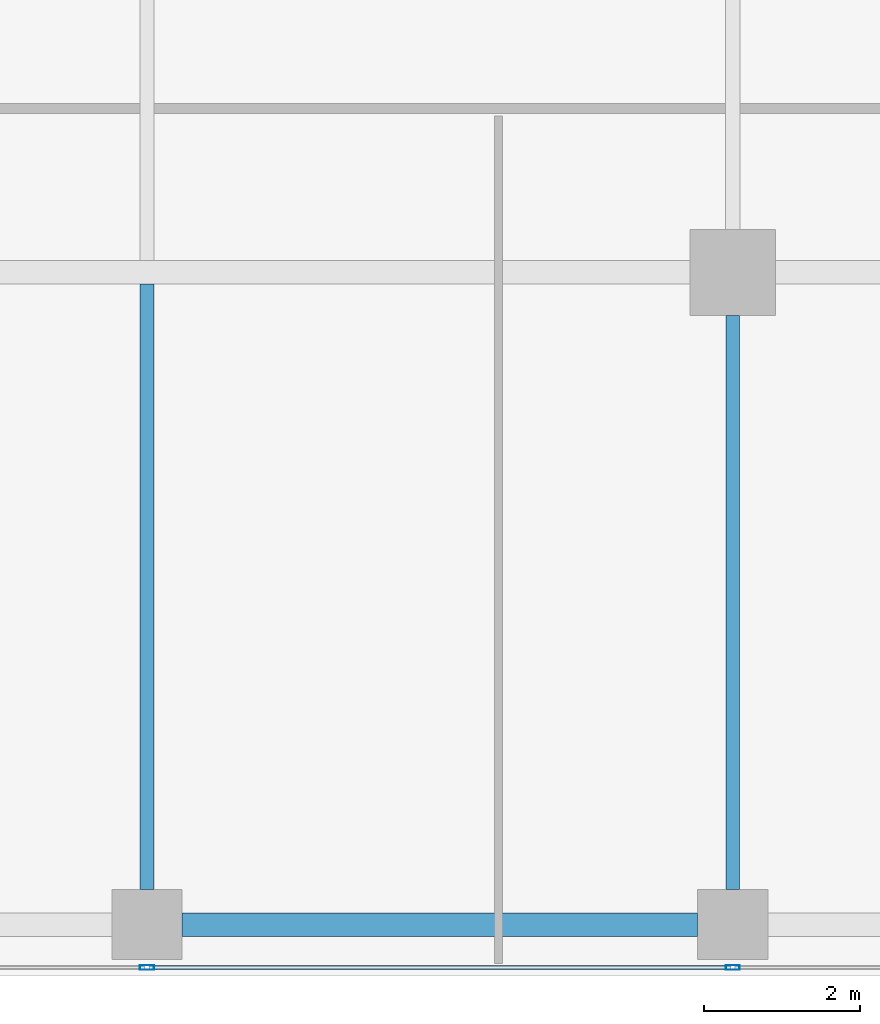
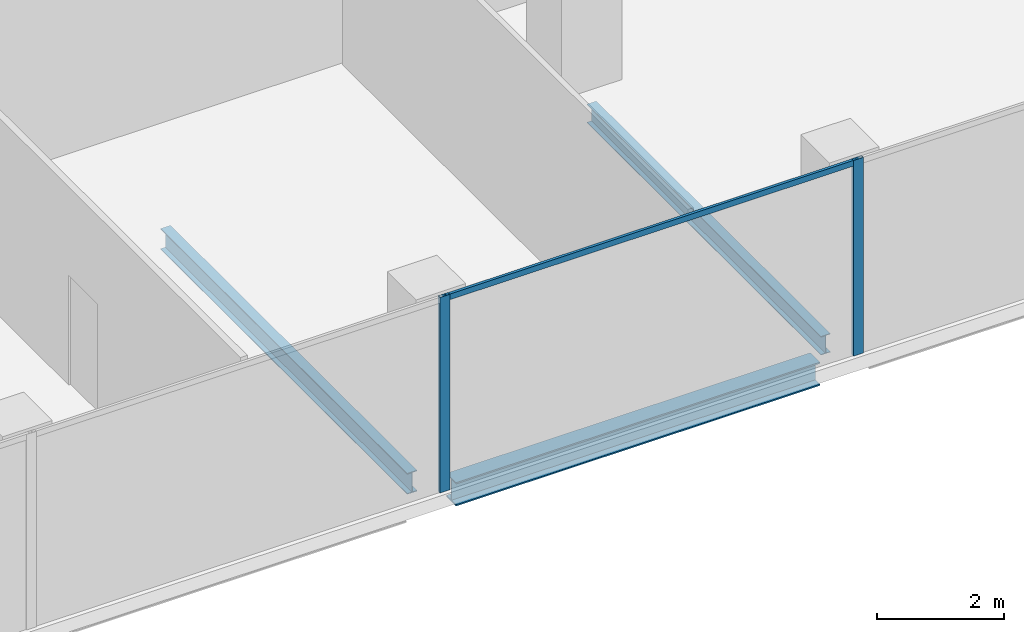
# One storey, part 6 of 35: 3 beams, 3 members, 1 element without a shape of its own.
"""IFC4 building model written with IfcOpenShell, lengths in metres."""

import ifcopenshell
import ifcopenshell.guid

model = None  # the IFC model being written
_history = None  # IfcOwnerHistory: only IFC2X3 demands one
_inside = {}  # id of a spatial element -> (the spatial element, [elements in it])
_under = {}  # id of a project, library or spatial element -> (it, [spatial elements below it])
_declared = {}  # id of a project -> (the project, [libraries it declares])
_typed = {}  # id of a type object -> (the type object, [elements of that type])
_made_of = {}  # id of a material, layer set ... -> (it, [elements and type objects made of it])


def new_model(schema):
    """Start an empty IFC model of exactly this schema.

    Asked for "IFC4X3", IfcOpenShell would pick the latest addendum, in which some entities
    have other attributes; the version numbers below select the first issue.
    IFC2X3 requires an IfcOwnerHistory on every rooted entity: one is made here for all.
    """
    global model, _history
    if schema == "IFC4X3":
        model = ifcopenshell.file(schema_version=(4, 3, 0, 0))
    else:
        model = ifcopenshell.file(schema=schema)
    _inside.clear()
    _under.clear()
    _declared.clear()
    _typed.clear()
    _made_of.clear()
    _history = None
    if model.schema == "IFC2X3":
        org = make("IfcOrganization", Name="unknown")
        user = make(
            "IfcPersonAndOrganization",
            ThePerson=make("IfcPerson", FamilyName="unknown"),
            TheOrganization=org,
        )
        app = make(
            "IfcApplication",
            ApplicationDeveloper=org,
            Version="unknown",
            ApplicationFullName="unknown",
            ApplicationIdentifier="unknown",
        )
        _history = make(
            "IfcOwnerHistory",
            OwningUser=user,
            OwningApplication=app,
            ChangeAction="ADDED",
            CreationDate=0,
        )
    return model


def make(cls, **values):
    """One entity of the class cls with the attributes given. An attribute that is None is left unset."""
    return model.create_entity(
        cls, **{name: value for name, value in values.items() if value is not None}
    )


def rooted(cls, **values):
    """An entity with a GlobalId (a new one), such as an element, a storey or a relation."""
    return make(cls, GlobalId=ifcopenshell.guid.new(), OwnerHistory=_history, **values)


def si_unit(unit_type, name, prefix=None):
    """IfcSIUnit, for example si_unit("LENGTHUNIT", "METRE", prefix="MILLI")."""
    return make("IfcSIUnit", UnitType=unit_type, Prefix=prefix, Name=name)


def assignment(units):
    """IfcUnitAssignment: the units of a project."""
    return None if units is None else make("IfcUnitAssignment", Units=units)


def point(xyz):
    """IfcCartesianPoint."""
    return None if xyz is None else make("IfcCartesianPoint", Coordinates=xyz)


def direction(xyz):
    """IfcDirection."""
    return None if xyz is None else make("IfcDirection", DirectionRatios=xyz)


def frame(location, z_axis=None, x_axis=None):
    """IfcAxis2Placement3D, a coordinate frame: its origin and axes. An axis left out is left unset."""
    return make(
        "IfcAxis2Placement3D",
        Location=point(location),
        Axis=direction(z_axis),
        RefDirection=direction(x_axis),
    )


def frame_2d(location, x_axis=None):
    """IfcAxis2Placement2D, a coordinate frame in the plane: its origin and x axis."""
    return make(
        "IfcAxis2Placement2D", Location=point(location), RefDirection=direction(x_axis)
    )


def origin():
    """The frame at (0, 0, 0) with its axes left unset."""
    return frame((0.0, 0.0, 0.0))


def origin_2d():
    """The frame at (0, 0) in the plane with its x axis left unset."""
    return frame_2d((0.0, 0.0))


def place(relative_to, where):
    """IfcLocalPlacement: puts the frame where relative to a parent placement (None: the world)."""
    return make(
        "IfcLocalPlacement", PlacementRelTo=relative_to, RelativePlacement=where
    )


def context(
    kind, dimensions, precision=None, world=None, true_north=None, identifier=None
):
    """IfcGeometricRepresentationContext, for example the 3D "Model" context."""
    return make(
        "IfcGeometricRepresentationContext",
        ContextIdentifier=identifier,
        ContextType=kind,
        CoordinateSpaceDimension=dimensions,
        Precision=precision,
        WorldCoordinateSystem=world,
        TrueNorth=true_north,
    )


def subcontext(parent, identifier, kind, view, scale=None):
    """IfcGeometricRepresentationSubContext, for example "Body" below "Model"."""
    return make(
        "IfcGeometricRepresentationSubContext",
        ContextIdentifier=identifier,
        ContextType=kind,
        ParentContext=parent,
        TargetScale=scale,
        TargetView=view,
    )


def project(units=None, contexts=None):
    """IfcProject with its units and contexts."""
    return rooted(
        "IfcProject",
        Name="project",
        RepresentationContexts=contexts,
        UnitsInContext=assignment(units),
    )


def spatial(cls, under=None, at=None, **own):
    """A site, building, storey or space (cls), placed at a placement, below another one or the project."""
    s = rooted(cls, ObjectPlacement=at, **own)
    if under is not None:
        _under.setdefault(under.id(), (under, []))[1].append(s)
    return s


def profile(cls, at=None, kind="AREA", **sizes):
    """A parametric profile (cls). Its sizes go by their IFC names, for example OverallWidth=200.0."""
    return make(cls, ProfileType=kind, Position=at, **sizes)


def hollow_rectangle(**sizes):
    """IfcRectangleHollowProfileDef."""
    return profile("IfcRectangleHollowProfileDef", **sizes)


def i_section(**sizes):
    """IfcIShapeProfileDef."""
    return profile("IfcIShapeProfileDef", **sizes)


def extrude(swept, where, along, depth):
    """IfcExtrudedAreaSolid: the profile swept, set in the frame where, extruded along a direction by depth."""
    return make(
        "IfcExtrudedAreaSolid",
        SweptArea=swept,
        Position=where,
        ExtrudedDirection=direction(along),
        Depth=depth,
    )


def shape(context_of_items, identifier, shape_type, items):
    """IfcShapeRepresentation: the items that make up one representation, for example the "Body"."""
    return make(
        "IfcShapeRepresentation",
        ContextOfItems=context_of_items,
        RepresentationIdentifier=identifier,
        RepresentationType=shape_type,
        Items=items,
    )


def source(mapping_origin, context_of_items, identifier, shape_type, items):
    """IfcRepresentationMap: a shape defined once, which mapped items show again and again."""
    return make(
        "IfcRepresentationMap",
        MappingOrigin=mapping_origin,
        MappedRepresentation=shape(context_of_items, identifier, shape_type, items),
    )


def transform(
    local_origin,
    x_axis=None,
    y_axis=None,
    z_axis=None,
    scale=None,
    scale2=None,
    scale3=None,
    uniform=True,
):
    """IfcCartesianTransformationOperator3D, or its non-uniform kind. x_axis, y_axis, z_axis: its Axis1, 2, 3."""
    if uniform:
        return make(
            "IfcCartesianTransformationOperator3D",
            Axis1=direction(x_axis),
            Axis2=direction(y_axis),
            LocalOrigin=point(local_origin),
            Scale=scale,
            Axis3=direction(z_axis),
        )
    return make(
        "IfcCartesianTransformationOperator3DnonUniform",
        Axis1=direction(x_axis),
        Axis2=direction(y_axis),
        LocalOrigin=point(local_origin),
        Scale=scale,
        Axis3=direction(z_axis),
        Scale2=scale2,
        Scale3=scale3,
    )


def mapped(mapping_source, mapping_target):
    """IfcMappedItem: shows the shape of a source again, moved by a transform."""
    return make(
        "IfcMappedItem", MappingSource=mapping_source, MappingTarget=mapping_target
    )


def material(Name=None, Category=None):
    """IfcMaterial."""
    return make("IfcMaterial", Name=Name, Category=Category)


def material_profile(
    of_material, cross_section, Name=None, Category=None, Priority=None
):
    """IfcMaterialProfile: a cross section and its material."""
    return make(
        "IfcMaterialProfile",
        Name=Name,
        Material=of_material,
        Profile=cross_section,
        Priority=Priority,
        Category=Category,
    )


def profile_set(profiles, Name=None, composite=None):
    """IfcMaterialProfileSet."""
    return make(
        "IfcMaterialProfileSet",
        Name=Name,
        MaterialProfiles=profiles,
        CompositeProfile=composite,
    )


def made_of(thing, what):
    """Note that an element or type object is made of a material, layer set ...; save() writes the relation."""
    if what is not None:
        _made_of.setdefault(what.id(), (what, []))[1].append(thing)
    return thing


def type_object(cls, material=None, **own):
    """A type object (cls), such as IfcWallType, which elements share."""
    return made_of(rooted(cls, **own), material)


def element(
    cls,
    number,
    at=None,
    inside=None,
    cuts=None,
    type_object=None,
    material=None,
    context=None,
    identifier="Body",
    shape_type=None,
    held_by="IfcProductDefinitionShape",
    body=None,
    shapes=None,
    **own,
):
    """One element of the class cls, such as IfcWall. Its Tag is "e" and its number.

    at: its placement. inside: the storey or other place that contains it. cuts: it is an
    opening in that element (IfcRelVoidsElement). A single representation is given by context,
    identifier, shape_type and body (its items); several are given by shapes. held_by: the class
    of the entity that holds the representations. save() writes the other relations.
    """
    e = rooted(cls, Tag="e%d" % number, ObjectPlacement=at, **own)
    if body is not None:
        shapes = [shape(context, identifier, shape_type, body)]
    if shapes is not None:
        e.Representation = make(held_by, Representations=shapes)
    if inside is not None:
        _inside.setdefault(inside.id(), (inside, []))[1].append(e)
    if cuts is not None:
        rooted(
            "IfcRelVoidsElement", RelatingBuildingElement=cuts, RelatedOpeningElement=e
        )
    if type_object is not None:
        _typed.setdefault(type_object.id(), (type_object, []))[1].append(e)
    return made_of(e, material)


def aggregate(whole, parts):
    """IfcRelAggregates: a whole, such as a stair, and the parts it consists of."""
    return rooted("IfcRelAggregates", RelatingObject=whole, RelatedObjects=parts)


def save(model, path):
    """Write the relations noted so far, then the file.

    IfcRelAggregates (storeys below a building ...), IfcRelContainedInSpatialStructure (elements
    in a storey), IfcRelDefinesByType, IfcRelAssociatesMaterial and IfcRelDeclares: one each for
    every whole, place, type object, material and project.
    """
    for whole, parts in _under.values():
        aggregate(whole, parts)
    for where, things in _inside.values():
        rooted(
            "IfcRelContainedInSpatialStructure",
            RelatedElements=things,
            RelatingStructure=where,
        )
    for kind, things in _typed.values():
        rooted("IfcRelDefinesByType", RelatedObjects=things, RelatingType=kind)
    for what, things in _made_of.values():
        rooted("IfcRelAssociatesMaterial", RelatedObjects=things, RelatingMaterial=what)
    for by, libraries in _declared.values():
        rooted("IfcRelDeclares", RelatingContext=by, RelatedDefinitions=libraries)
    model.write(path)


model = new_model("IFC4")

# Units and contexts
model_context = context("Model", 3, precision=1e-05, world=origin(), true_north=direction((0.0, 1.0)))
body_context = subcontext(model_context, "Body", "Model", "MODEL_VIEW")
ifc_project = project(units=[si_unit("LENGTHUNIT", "METRE"), si_unit("AREAUNIT", "SQUARE_METRE"), si_unit("VOLUMEUNIT", "CUBIC_METRE"), si_unit("PLANEANGLEUNIT", "RADIAN"), si_unit("MASSUNIT", "GRAM", prefix="KILO")], contexts=[model_context])

# Site, building, storey
site_placement = place(None, origin())
site = spatial("IfcSite", under=ifc_project, at=site_placement, CompositionType="ELEMENT")
building_placement = place(site_placement, origin())
building = spatial("IfcBuilding", under=site, at=building_placement, Name="Khomas Fold Tower", CompositionType="ELEMENT")
storey_placement = place(building_placement, frame((0.0, 0.0, 262.199951171875)))
storey = spatial("IfcBuildingStorey", under=building, at=storey_placement, Name="L59", CompositionType="ELEMENT", Elevation=262.199951171875)

# Beams
ifc_material_1 = material(Name="Steel S355", Category="steel")
ifc_material_profile_1 = material_profile(ifc_material_1, i_section(OverallWidth=0.300048828125, OverallDepth=0.449951171875, WebThickness=0.013916015625, FlangeThickness=0.02587890625, at=origin_2d()), Name="HE 450 B")
ifc_profile_set_1 = profile_set([ifc_material_profile_1], Name="Steel S355")
beam_type_1 = type_object("IfcBeamType", Name="HE 450 B spandrel SB4", PredefinedType="SPANDREL", material=ifc_profile_set_1)
shared_shape_1 = source(origin(), body_context, "Body", "SweptSolid", [
    extrude(i_section(OverallWidth=0.300048828125, OverallDepth=0.449951171875, WebThickness=0.013916015625, FlangeThickness=0.02587890625, at=origin_2d()), origin(), (0.0, 0.0, 1.0), 6.60009765625),
])
beam_1_placement = place(storey_placement, frame((27.449951171875, 5.14990234375, -0.474853515625), z_axis=(1.0, 0.0, 0.0), x_axis=(0.0, 1.0, 0.0)))
element("IfcBeam", 1, at=beam_1_placement, inside=storey, type_object=beam_type_1, Name="SB4", PredefinedType="SPANDREL", context=body_context, shape_type="MappedRepresentation", body=[
    mapped(shared_shape_1, transform((0.0, 0.0, 0.0))),
])
ifc_material_2 = material(Name="Steel S355", Category="steel")
ifc_material_profile_2 = material_profile(ifc_material_2, i_section(OverallWidth=0.179931640625, OverallDepth=0.39990234375, WebThickness=0.008544921875, FlangeThickness=0.013427734375, at=origin_2d()), Name="IPE 400")
ifc_profile_set_2 = profile_set([ifc_material_profile_2], Name="Steel S355")
beam_type_2 = type_object("IfcBeamType", Name="IPE 400 beam JB3", PredefinedType="BEAM", material=ifc_profile_set_2)
shared_shape_2 = source(origin(), body_context, "Body", "SweptSolid", [
    extrude(i_section(OverallWidth=0.179931640625, OverallDepth=0.39990234375, WebThickness=0.008544921875, FlangeThickness=0.013427734375, at=origin_2d()), origin(), (0.0, 0.0, 1.0), 7.75),
])
beam_2_placement = place(storey_placement, frame((27.0, 5.60009765625, -0.449951171875), z_axis=(0.0, 1.0, 0.0), x_axis=(-1.0, 0.0, 0.0)))
element("IfcBeam", 2, at=beam_2_placement, inside=storey, type_object=beam_type_2, Name="JB3", PredefinedType="BEAM", context=body_context, shape_type="MappedRepresentation", body=[
    mapped(shared_shape_2, transform((0.0, 0.0, 0.0))),
])
ifc_material_3 = material(Name="Steel S355", Category="steel")
ifc_material_profile_3 = material_profile(ifc_material_3, i_section(OverallWidth=0.169921875, OverallDepth=0.360107421875, WebThickness=0.008056640625, FlangeThickness=0.0126953125, at=origin_2d()), Name="IPE 360")
ifc_profile_set_3 = profile_set([ifc_material_profile_3], Name="Steel S355")
beam_type_3 = type_object("IfcBeamType", Name="IPE 360 beam JB2", PredefinedType="BEAM", material=ifc_profile_set_3)
shared_shape_3 = source(origin(), body_context, "Body", "SweptSolid", [
    extrude(i_section(OverallWidth=0.169921875, OverallDepth=0.360107421875, WebThickness=0.008056640625, FlangeThickness=0.0126953125, at=origin_2d()), origin(), (0.0, 0.0, 1.0), 7.349853515625),
])
beam_3_placement = place(storey_placement, frame((34.5, 5.60009765625, -0.429931640625), z_axis=(0.0, 1.0, 0.0), x_axis=(-1.0, 0.0, 0.0)))
element("IfcBeam", 3, at=beam_3_placement, inside=storey, type_object=beam_type_3, Name="JB2", PredefinedType="BEAM", context=body_context, shape_type="MappedRepresentation", body=[
    mapped(shared_shape_3, transform((0.0, 0.0, 0.0))),
])

# Curtain wall, members
ifc_material_4 = material(Name="Aluminium framed double glazing", Category="aluminium")
curtain_wall_type = type_object("IfcCurtainWallType", Name="SK-Unitised clear-glass wall, office floors CW2", PredefinedType="NOTDEFINED", material=ifc_material_4)
curtain_wall_placement = place(storey_placement, origin())
curtain_wall = element("IfcCurtainWall", 4, at=curtain_wall_placement, inside=storey, type_object=curtain_wall_type, Name="CW2 run L59 00-0", PredefinedType="NOTDEFINED")
ifc_material_5 = material(Name="Aluminium", Category="aluminium")
ifc_material_profile_4 = material_profile(ifc_material_5, hollow_rectangle(XDim=0.06005859375, YDim=0.179931640625, WallThickness=0.00390625, at=origin_2d()), Name="SK-Unitised clear-glass wall, office floors mullion CW2-M")
ifc_profile_set_4 = profile_set([ifc_material_profile_4], Name="Aluminium")
member_type_1 = type_object("IfcMemberType", Name="SK-Unitised clear-glass wall, office floors mullion CW2-M", PredefinedType="MULLION", material=ifc_profile_set_4)
shared_shape_4 = source(origin(), body_context, "Body", "SweptSolid", [
    extrude(hollow_rectangle(XDim=0.06005859375, YDim=0.179931640625, WallThickness=0.00390625, at=origin_2d()), origin(), (0.0, 0.0, 1.0), 3.75),
])
member_1_placement = place(storey_placement, frame((27.0, 4.60009765625, 0.0), z_axis=(0.0, 0.0, 1.0), x_axis=(0.0, 1.0, 0.0)))
member_1 = element("IfcMember", 5, at=member_1_placement, type_object=member_type_1, Name="CW2 mullion 4", PredefinedType="MULLION", context=body_context, shape_type="MappedRepresentation", body=[
    mapped(shared_shape_4, transform((0.0, 0.0, 0.0))),
])
member_2_placement = place(storey_placement, frame((34.5, 4.60009765625, 0.0), z_axis=(0.0, 0.0, 1.0), x_axis=(0.0, 1.0, 0.0)))
member_2 = element("IfcMember", 6, at=member_2_placement, type_object=member_type_1, Name="CW2 mullion 5", PredefinedType="MULLION", context=body_context, shape_type="MappedRepresentation", body=[
    mapped(shared_shape_4, transform((0.0, 0.0, 0.0))),
])
ifc_material_6 = material(Name="Aluminium", Category="aluminium")
ifc_material_profile_5 = material_profile(ifc_material_6, hollow_rectangle(XDim=0.050048828125, YDim=0.110107421875, WallThickness=0.00390625, at=origin_2d()), Name="SK-Unitised clear-glass wall, office floors transom CW2-T")
ifc_profile_set_5 = profile_set([ifc_material_profile_5], Name="Aluminium")
member_type_2 = type_object("IfcMemberType", Name="SK-Unitised clear-glass wall, office floors transom CW2-T", PredefinedType="USERDEFINED", material=ifc_profile_set_5)
shared_shape_5 = source(origin(), body_context, "Body", "SweptSolid", [
    extrude(hollow_rectangle(XDim=0.050048828125, YDim=0.110107421875, WallThickness=0.00390625, at=origin_2d()), origin(), (0.0, 0.0, 1.0), 7.43994140625),
])
member_3_placement = place(storey_placement, frame((27.030029296875, 4.60009765625, 3.695068359375), z_axis=(1.0, 0.0, 0.0), x_axis=(0.0, 1.0, 0.0)))
member_3 = element("IfcMember", 7, at=member_3_placement, type_object=member_type_2, Name="CW2 transom 4", ObjectType="TRANSOM", PredefinedType="USERDEFINED", context=body_context, shape_type="MappedRepresentation", body=[
    mapped(shared_shape_5, transform((0.0, 0.0, 0.0))),
])
aggregate(curtain_wall, [member_1, member_2, member_3])

save(model, "model.ifc")
